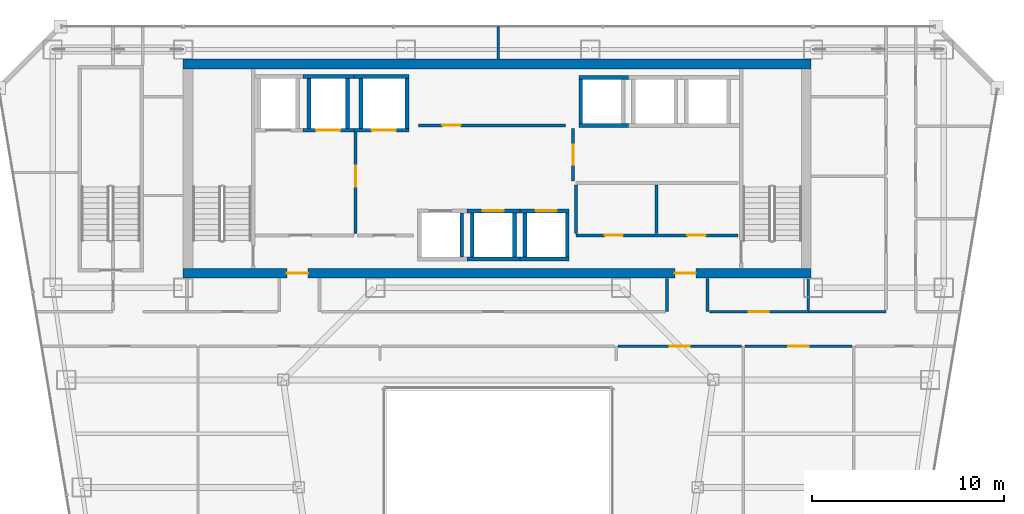
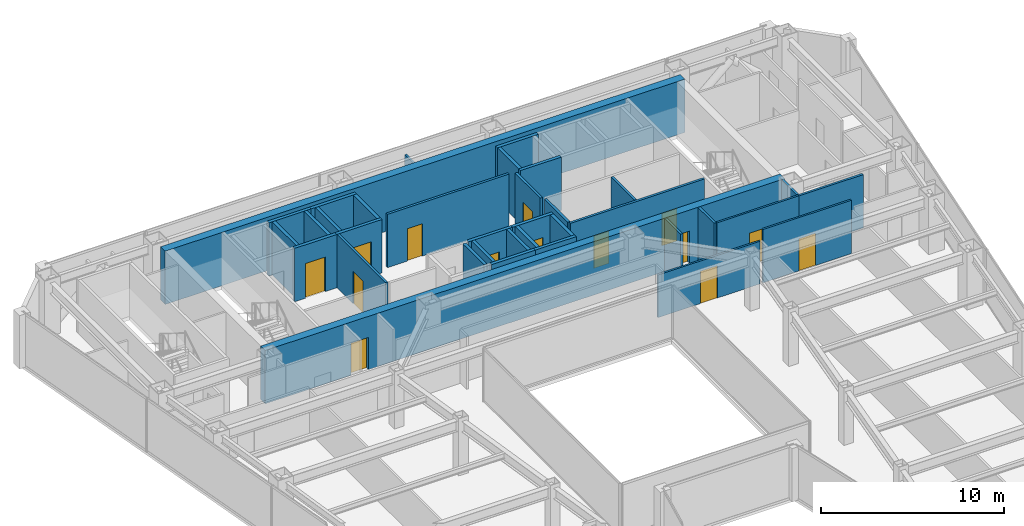
# One storey, part 32 of 36: 36 walls, 14 doors, 14 openings.
"""IFC4 building model written with IfcOpenShell, lengths in metres."""

from ifc_helpers import new_model, si_unit, direction, frame, frame_2d, origin, place, context, subcontext, project, spatial, rectangle, extrude, material, layer, layer_set, type_object, element, fill, save


model = new_model("IFC4")

# Units and contexts
model_context = context("Model", 3, precision=1e-05, world=origin(), true_north=direction((0.0, 1.0)))
body_context = subcontext(model_context, "Body", "Model", "MODEL_VIEW")
ifc_project = project(units=[si_unit("LENGTHUNIT", "METRE"), si_unit("AREAUNIT", "SQUARE_METRE"), si_unit("VOLUMEUNIT", "CUBIC_METRE"), si_unit("PLANEANGLEUNIT", "RADIAN"), si_unit("MASSUNIT", "GRAM", prefix="KILO")], contexts=[model_context])

# Site, building, storey
site_placement = place(None, origin())
site = spatial("IfcSite", under=ifc_project, at=site_placement, CompositionType="ELEMENT")
building_placement = place(site_placement, origin())
building = spatial("IfcBuilding", under=site, at=building_placement, Name="Saevonmaru Cultural Tower", CompositionType="ELEMENT")
storey_placement = place(building_placement, frame((0.0, 0.0, 156.199951171875)))
storey = spatial("IfcBuildingStorey", under=building, at=storey_placement, Name="L34", CompositionType="ELEMENT", Elevation=156.199951171875)

# Wall, openings, doors
ifc_material_1 = material(Name="Concrete C60/75", Category="concrete")
ifc_layer_1 = layer(ifc_material_1, 0.5, Name="Concrete C60/75")
ifc_layer_set_1 = layer_set([ifc_layer_1], Name="Concrete C60/75")
wall_type_1 = type_object("IfcWallType", Name="WL-CORE-500", PredefinedType="SHEAR", material=ifc_layer_set_1)
wall_1_placement = place(storey_placement, frame((13.60009765625, 43.14990234375, 0.0), z_axis=(0.0, 0.0, 1.0), x_axis=(1.0, 0.0, 0.0)))
wall_1 = element("IfcWall", 1, at=wall_1_placement, inside=storey, type_object=wall_type_1, Name="L34 Tower RC core shear wall S", PredefinedType="SHEAR", context=body_context, shape_type="SweptSolid", body=[
    extrude(rectangle(XDim=32.699951171875, YDim=0.5, at=frame_2d((16.35009765625, 0.0))), origin(), (0.0, 0.0, 1.0), 3.550048828125),
])
opening_1_placement = place(wall_1_placement, frame((5.39990234375, 0.0, 0.0)))
opening_1 = element("IfcOpeningElement", 2, at=opening_1_placement, cuts=wall_1, Name="Opening FD-2", PredefinedType="OPENING", context=body_context, shape_type="SweptSolid", body=[
    extrude(rectangle(XDim=1.10009765625, YDim=2.14990234375, at=frame_2d((0.550048828125, 1.074951171875))), frame((0.0, 0.260009765625, 0.0), z_axis=(0.0, -1.0, 0.0), x_axis=(1.0, 0.0, 0.0)), (0.0, 0.0, 1.0), 0.52001953125),
])
opening_2_placement = place(wall_1_placement, frame((25.60009765625, 0.0, 0.0)))
opening_2 = element("IfcOpeningElement", 3, at=opening_2_placement, cuts=wall_1, Name="Opening FD-2", PredefinedType="OPENING", context=body_context, shape_type="SweptSolid", body=[
    extrude(rectangle(XDim=1.10009765625, YDim=2.14990234375, at=frame_2d((0.550048828125, 1.074951171875))), frame((0.0, 0.260009765625, 0.0), z_axis=(0.0, -1.0, 0.0), x_axis=(1.0, 0.0, 0.0)), (0.0, 0.0, 1.0), 0.52001953125),
])
ifc_material_2 = material(Name="Satin Bronze Anodised Aluminium", Category="aluminium")
door_type_1 = type_object("IfcDoorType", Name="DR-FD60-1100", OperationType="SINGLE_SWING_LEFT", PredefinedType="DOOR", material=ifc_material_2)
door_1_placement = place(opening_1_placement, origin())
door_1 = element("IfcDoor", 4, at=door_1_placement, inside=storey, type_object=door_type_1, Name="L34 Core West Lobby Fire Door", OperationType="SINGLE_SWING_LEFT", OverallHeight=2.14990234375, OverallWidth=1.10009765625, PredefinedType="DOOR", context=body_context, shape_type="SweptSolid", body=[
    extrude(rectangle(XDim=1.10009765625, YDim=2.14990234375, at=frame_2d((0.550048828125, 1.074951171875))), frame((0.0, 0.02490234375, 0.0), z_axis=(0.0, -1.0, 0.0), x_axis=(1.0, 0.0, 0.0)), (0.0, 0.0, 1.0), 0.050048828125),
])
fill(opening_1, door_1)
door_2_placement = place(opening_2_placement, origin())
door_2 = element("IfcDoor", 5, at=door_2_placement, inside=storey, type_object=door_type_1, Name="L34 Core East Lobby Fire Door", OperationType="SINGLE_SWING_LEFT", OverallHeight=2.14990234375, OverallWidth=1.10009765625, PredefinedType="DOOR", context=body_context, shape_type="SweptSolid", body=[
    extrude(rectangle(XDim=1.10009765625, YDim=2.14990234375, at=frame_2d((0.550048828125, 1.074951171875))), frame((0.0, 0.02490234375, 0.0), z_axis=(0.0, -1.0, 0.0), x_axis=(1.0, 0.0, 0.0)), (0.0, 0.0, 1.0), 0.050048828125),
])
fill(opening_2, door_2)

# Wall
wall_2_placement = place(storey_placement, frame((13.60009765625, 54.050048828125, 0.0), z_axis=(0.0, 0.0, 1.0), x_axis=(1.0, 0.0, 0.0)))
element("IfcWall", 6, at=wall_2_placement, inside=storey, type_object=wall_type_1, Name="L34 Tower RC core shear wall N", PredefinedType="SHEAR", context=body_context, shape_type="SweptSolid", body=[
    extrude(rectangle(XDim=32.699951171875, YDim=0.5, at=frame_2d((16.35009765625, 0.0))), origin(), (0.0, 0.0, 1.0), 3.550048828125),
])

# Wall, opening, door
ifc_material_3 = material(Name="Gypsum Fireboard Partition", Category="gypsum")
ifc_layer_2 = layer(ifc_material_3, 0.14990234375, Name="Gypsum Fireboard Partition")
ifc_layer_set_2 = layer_set([ifc_layer_2], Name="Gypsum Fireboard Partition")
wall_type_2 = type_object("IfcWallType", Name="WL-CORE-PART-150", PredefinedType="PARTITIONING", material=ifc_layer_set_2)
wall_3_placement = place(storey_placement, frame((22.580078125, 50.550048828125, 0.0), z_axis=(0.0, 0.0, 1.0), x_axis=(0.0, -1.0, 0.0)))
wall_3 = element("IfcWall", 7, at=wall_3_placement, inside=storey, type_object=wall_type_2, Name="L34 Firefighting Lift Lobby East Wall", PredefinedType="PARTITIONING", context=body_context, shape_type="SweptSolid", body=[
    extrude(rectangle(XDim=5.330078125, YDim=0.14990234375, at=frame_2d((2.6650390625, 0.0))), origin(), (0.0, 0.0, 1.0), 3.550048828125),
])
opening_3_placement = place(wall_3_placement, frame((1.800048828125, 0.0, 0.0)))
opening_3 = element("IfcOpeningElement", 8, at=opening_3_placement, cuts=wall_3, Name="Opening FD-2", PredefinedType="OPENING", context=body_context, shape_type="SweptSolid", body=[
    extrude(rectangle(XDim=1.10009765625, YDim=2.14990234375, at=frame_2d((0.550048828125, 1.074951171875))), frame((0.0, 0.0849609375, 0.0), z_axis=(0.0, -1.0, 0.0), x_axis=(1.0, 0.0, 0.0)), (0.0, 0.0, 1.0), 0.169921875),
])
door_3_placement = place(opening_3_placement, origin())
door_3 = element("IfcDoor", 9, at=door_3_placement, inside=storey, type_object=door_type_1, Name="L34 Firefighting Lift Lobby East Door", OperationType="SINGLE_SWING_LEFT", OverallHeight=2.14990234375, OverallWidth=1.10009765625, PredefinedType="DOOR", context=body_context, shape_type="SweptSolid", body=[
    extrude(rectangle(XDim=1.10009765625, YDim=2.14990234375, at=frame_2d((0.550048828125, 1.074951171875))), frame((0.0, 0.02490234375, 0.0), z_axis=(0.0, -1.0, 0.0), x_axis=(1.0, 0.0, 0.0)), (0.0, 0.0, 1.0), 0.050048828125),
])
fill(opening_3, door_3)

wall_4_placement = place(storey_placement, frame((33.89990234375, 47.949951171875, 0.0), z_axis=(0.0, 0.0, 1.0), x_axis=(0.0, 1.0, 0.0)))
wall_4 = element("IfcWall", 10, at=wall_4_placement, inside=storey, type_object=wall_type_2, Name="L34 Zone Lobby Divider", PredefinedType="PARTITIONING", context=body_context, shape_type="SweptSolid", body=[
    extrude(rectangle(XDim=2.75, YDim=0.14990234375, at=frame_2d((1.375, 0.0))), origin(), (0.0, 0.0, 1.0), 3.550048828125),
])
opening_4_placement = place(wall_4_placement, frame((0.85009765625, 0.0, 0.0)))
opening_4 = element("IfcOpeningElement", 11, at=opening_4_placement, cuts=wall_4, Name="Opening ID-1", PredefinedType="OPENING", context=body_context, shape_type="SweptSolid", body=[
    extrude(rectangle(XDim=1.050048828125, YDim=2.14990234375, at=frame_2d((0.52490234375, 1.074951171875))), frame((0.0, 0.0849609375, 0.0), z_axis=(0.0, -1.0, 0.0), x_axis=(1.0, 0.0, 0.0)), (0.0, 0.0, 1.0), 0.169921875),
])
door_type_2 = type_object("IfcDoorType", Name="DR-INT-1050", OperationType="SINGLE_SWING_LEFT", PredefinedType="DOOR", material=ifc_material_2)
door_4_placement = place(opening_4_placement, origin())
door_4 = element("IfcDoor", 12, at=door_4_placement, inside=storey, type_object=door_type_2, Name="L34 Inter-Lobby Link Door", OperationType="SINGLE_SWING_LEFT", OverallHeight=2.14990234375, OverallWidth=1.050048828125, PredefinedType="DOOR", context=body_context, shape_type="SweptSolid", body=[
    extrude(rectangle(XDim=1.050048828125, YDim=2.14990234375, at=frame_2d((0.52490234375, 1.074951171875))), frame((0.0, 0.02490234375, 0.0), z_axis=(0.0, -1.0, 0.0), x_axis=(1.0, 0.0, 0.0)), (0.0, 0.0, 1.0), 0.050048828125),
])
fill(opening_4, door_4)

# Wall, openings, doors
wall_5_placement = place(storey_placement, frame((34.050048828125, 45.1201171875, 0.0), z_axis=(0.0, 0.0, 1.0), x_axis=(1.0, 0.0, 0.0)))
wall_5 = element("IfcWall", 13, at=wall_5_placement, inside=storey, type_object=wall_type_2, Name="L34 Core Plant South Wall", PredefinedType="PARTITIONING", context=body_context, shape_type="SweptSolid", body=[
    extrude(rectangle(XDim=8.449951171875, YDim=0.14990234375, at=frame_2d((4.22509765625, 0.0))), origin(), (0.0, 0.0, 1.0), 3.550048828125),
])
opening_5_placement = place(wall_5_placement, frame((1.5, 0.0, 0.0)))
opening_5 = element("IfcOpeningElement", 14, at=opening_5_placement, cuts=wall_5, Name="Opening FD-4", PredefinedType="OPENING", context=body_context, shape_type="SweptSolid", body=[
    extrude(rectangle(XDim=0.949951171875, YDim=2.14990234375, at=frame_2d((0.47509765625, 1.074951171875))), frame((0.0, 0.0849609375, 0.0), z_axis=(0.0, -1.0, 0.0), x_axis=(1.0, 0.0, 0.0)), (0.0, 0.0, 1.0), 0.169921875),
])
opening_6_placement = place(wall_5_placement, frame((5.800048828125, 0.0, 0.0)))
opening_6 = element("IfcOpeningElement", 15, at=opening_6_placement, cuts=wall_5, Name="Opening FD-4", PredefinedType="OPENING", context=body_context, shape_type="SweptSolid", body=[
    extrude(rectangle(XDim=0.949951171875, YDim=2.14990234375, at=frame_2d((0.47509765625, 1.074951171875))), frame((0.0, 0.0849609375, 0.0), z_axis=(0.0, -1.0, 0.0), x_axis=(1.0, 0.0, 0.0)), (0.0, 0.0, 1.0), 0.169921875),
])
door_type_3 = type_object("IfcDoorType", Name="DR-FD60-950", OperationType="SINGLE_SWING_LEFT", PredefinedType="DOOR", material=ifc_material_2)
door_5_placement = place(opening_5_placement, origin())
door_5 = element("IfcDoor", 16, at=door_5_placement, inside=storey, type_object=door_type_3, Name="L34 Floor AHU Plant Door", OperationType="SINGLE_SWING_LEFT", OverallHeight=2.14990234375, OverallWidth=0.949951171875, PredefinedType="DOOR", context=body_context, shape_type="SweptSolid", body=[
    extrude(rectangle(XDim=0.949951171875, YDim=2.14990234375, at=frame_2d((0.47509765625, 1.074951171875))), frame((0.0, 0.02490234375, 0.0), z_axis=(0.0, -1.0, 0.0), x_axis=(1.0, 0.0, 0.0)), (0.0, 0.0, 1.0), 0.050048828125),
])
fill(opening_5, door_5)
door_6_placement = place(opening_6_placement, origin())
door_6 = element("IfcDoor", 17, at=door_6_placement, inside=storey, type_object=door_type_3, Name="L34 Housekeeping Storage Door", OperationType="SINGLE_SWING_LEFT", OverallHeight=2.14990234375, OverallWidth=0.949951171875, PredefinedType="DOOR", context=body_context, shape_type="SweptSolid", body=[
    extrude(rectangle(XDim=0.949951171875, YDim=2.14990234375, at=frame_2d((0.47509765625, 1.074951171875))), frame((0.0, 0.02490234375, 0.0), z_axis=(0.0, -1.0, 0.0), x_axis=(1.0, 0.0, 0.0)), (0.0, 0.0, 1.0), 0.050048828125),
])
fill(opening_6, door_6)

# Walls
for number, where, z_axis, x_axis, name in (
    (18, (38.25, 45.219970703125, 0.0), (0.0, 0.0, 1.0), (0.0, 1.0, 0.0), "L34 Core Plant Split"),
    (19, (34.050048828125, 45.219970703125, 0.0), (0.0, 0.0, 1.0), (0.0, 1.0, 0.0), "L34 Core Plant West Wall"),
):
    element("IfcWall", number, at=place(storey_placement, frame(where, z_axis=z_axis, x_axis=x_axis)), inside=storey, type_object=wall_type_2, Name=name, PredefinedType="PARTITIONING", context=body_context, shape_type="SweptSolid", body=[
        extrude(rectangle(XDim=2.530029296875, YDim=0.14990234375, at=frame_2d((1.26513671875, 0.0))), origin(), (0.0, 0.0, 1.0), 3.550048828125),
    ])

# Wall, opening, door
wall_6_placement = place(storey_placement, frame((25.85009765625, 50.85009765625, 0.0), z_axis=(0.0, 0.0, 1.0), x_axis=(1.0, 0.0, 0.0)))
wall_6 = element("IfcWall", 20, at=wall_6_placement, inside=storey, type_object=wall_type_2, Name="L34 Reclaimed Core Room South Wall", PredefinedType="PARTITIONING", context=body_context, shape_type="SweptSolid", body=[
    extrude(rectangle(XDim=7.64990234375, YDim=0.14990234375, at=frame_2d((3.824951171875, 0.0))), origin(), (0.0, 0.0, 1.0), 3.550048828125),
])
opening_7_placement = place(wall_6_placement, frame((1.25, 0.0, 0.0)))
opening_7 = element("IfcOpeningElement", 21, at=opening_7_placement, cuts=wall_6, Name="Opening FD-4", PredefinedType="OPENING", context=body_context, shape_type="SweptSolid", body=[
    extrude(rectangle(XDim=0.949951171875, YDim=2.14990234375, at=frame_2d((0.47509765625, 1.074951171875))), frame((0.0, 0.0849609375, 0.0), z_axis=(0.0, -1.0, 0.0), x_axis=(1.0, 0.0, 0.0)), (0.0, 0.0, 1.0), 0.169921875),
])
door_7_placement = place(opening_7_placement, origin())
door_7 = element("IfcDoor", 22, at=door_7_placement, inside=storey, type_object=door_type_3, Name="L34 Reclaimed Archive Vault Door", OperationType="SINGLE_SWING_LEFT", OverallHeight=2.14990234375, OverallWidth=0.949951171875, PredefinedType="DOOR", context=body_context, shape_type="SweptSolid", body=[
    extrude(rectangle(XDim=0.949951171875, YDim=2.14990234375, at=frame_2d((0.47509765625, 1.074951171875))), frame((0.0, 0.02490234375, 0.0), z_axis=(0.0, -1.0, 0.0), x_axis=(1.0, 0.0, 0.0)), (0.0, 0.0, 1.0), 0.050048828125),
])
fill(opening_7, door_7)

# Walls
ifc_layer_3 = layer(ifc_material_3, 0.14990234375, Name="Gypsum Fireboard Partition")
ifc_layer_set_3 = layer_set([ifc_layer_3], Name="Gypsum Fireboard Partition")
wall_type_3 = type_object("IfcWallType", Name="WL-PART-FIRE-150", PredefinedType="PARTITIONING", material=ifc_layer_set_3)
for number, where, z_axis, x_axis, name in (
    (23, (38.800048828125, 41.14990234375, 0.0), (0.0, 0.0, 1.0), (0.0, 1.0, 0.0), "L34 Core Portal Side Wall E1"),
    (24, (40.89990234375, 41.14990234375, 0.0), (0.0, 0.0, 1.0), (0.0, 1.0, 0.0), "L34 Core Portal Side Wall E2"),
):
    element("IfcWall", number, at=place(storey_placement, frame(where, z_axis=z_axis, x_axis=x_axis)), inside=storey, type_object=wall_type_3, Name=name, PredefinedType="PARTITIONING", context=body_context, shape_type="SweptSolid", body=[
        extrude(rectangle(XDim=1.72998046875, YDim=0.14990234375, at=frame_2d((0.864990234375, 0.0))), origin(), (0.0, 0.0, 1.0), 3.550048828125),
    ])
ifc_layer_4 = layer(ifc_material_3, 0.1201171875, Name="Gypsum Fireboard Partition")
ifc_layer_set_4 = layer_set([ifc_layer_4], Name="Gypsum Fireboard Partition")
wall_type_4 = type_object("IfcWallType", Name="WL-PART-GYP-120", PredefinedType="PARTITIONING", material=ifc_layer_set_4)
wall_7_placement = place(storey_placement, frame((30.0, 54.320068359375, 0.0), z_axis=(0.0, 0.0, 1.0), x_axis=(0.0, 1.0, 0.0)))
element("IfcWall", 25, at=wall_7_placement, inside=storey, type_object=wall_type_4, Name="L34 North Panorama Center Split", PredefinedType="PARTITIONING", context=body_context, shape_type="SweptSolid", body=[
    extrude(rectangle(XDim=1.675048828125, YDim=0.1201171875, at=frame_2d((0.83740234375, 0.0))), origin(), (0.0, 0.0, 1.0), 2.93505859375),
])

# Wall, opening, door
wall_8_placement = place(storey_placement, frame((40.9951171875, 41.14990234375, 0.0), z_axis=(0.0, 0.0, 1.0), x_axis=(1.0, 0.0, 0.0)))
wall_8 = element("IfcWall", 26, at=wall_8_placement, inside=storey, type_object=wall_type_4, Name="L34 Rare Manuscript Reading Room Corridor Wall", PredefinedType="PARTITIONING", context=body_context, shape_type="SweptSolid", body=[
    extrude(rectangle(XDim=5.15478515625, YDim=0.1201171875, at=frame_2d((2.577392578125, 0.0))), origin(), (0.0, 0.0, 1.0), 3.550048828125),
])
opening_8_placement = place(wall_8_placement, frame((2.052978515625, 0.0, 0.0)))
opening_8 = element("IfcOpeningElement", 27, at=opening_8_placement, cuts=wall_8, Name="Opening ID-1", PredefinedType="OPENING", context=body_context, shape_type="SweptSolid", body=[
    extrude(rectangle(XDim=1.050048828125, YDim=2.14990234375, at=frame_2d((0.52490234375, 1.074951171875))), frame((0.0, 0.070068359375, 0.0), z_axis=(0.0, -1.0, 0.0), x_axis=(1.0, 0.0, 0.0)), (0.0, 0.0, 1.0), 0.14013671875),
])
door_8_placement = place(opening_8_placement, origin())
door_8 = element("IfcDoor", 28, at=door_8_placement, inside=storey, type_object=door_type_2, Name="L34 Rare Manuscript Reading Room Door", OperationType="SINGLE_SWING_LEFT", OverallHeight=2.14990234375, OverallWidth=1.050048828125, PredefinedType="DOOR", context=body_context, shape_type="SweptSolid", body=[
    extrude(rectangle(XDim=1.050048828125, YDim=2.14990234375, at=frame_2d((0.52490234375, 1.074951171875))), frame((0.0, 0.02490234375, 0.0), z_axis=(0.0, -1.0, 0.0), x_axis=(1.0, 0.0, 0.0)), (0.0, 0.0, 1.0), 0.050048828125),
])
fill(opening_8, door_8)

wall_9_placement = place(storey_placement, frame((36.22998046875, 39.35009765625, 0.0), z_axis=(0.0, 0.0, 1.0), x_axis=(1.0, 0.0, 0.0)))
wall_9 = element("IfcWall", 29, at=wall_9_placement, inside=storey, type_object=wall_type_4, Name="L34 Rare Manuscript Reading Room Corridor Wall", PredefinedType="PARTITIONING", context=body_context, shape_type="SweptSolid", body=[
    extrude(rectangle(XDim=6.442626953125, YDim=0.1201171875, at=frame_2d((3.22119140625, 0.0))), origin(), (0.0, 0.0, 1.0), 2.8349609375),
])
opening_9_placement = place(wall_9_placement, frame((2.696044921875, 0.0, 0.0)))
opening_9 = element("IfcOpeningElement", 30, at=opening_9_placement, cuts=wall_9, Name="Opening ID-1", PredefinedType="OPENING", context=body_context, shape_type="SweptSolid", body=[
    extrude(rectangle(XDim=1.050048828125, YDim=2.14990234375, at=frame_2d((0.52490234375, 1.074951171875))), frame((0.0, 0.070068359375, 0.0), z_axis=(0.0, -1.0, 0.0), x_axis=(1.0, 0.0, 0.0)), (0.0, 0.0, 1.0), 0.14013671875),
])
door_9_placement = place(opening_9_placement, origin())
door_9 = element("IfcDoor", 31, at=door_9_placement, inside=storey, type_object=door_type_2, Name="L34 Rare Manuscript Reading Room Door", OperationType="SINGLE_SWING_RIGHT", OverallHeight=2.14990234375, OverallWidth=1.050048828125, PredefinedType="DOOR", context=body_context, shape_type="SweptSolid", body=[
    extrude(rectangle(XDim=1.050048828125, YDim=2.14990234375, at=frame_2d((0.52490234375, 1.074951171875))), frame((0.0, 0.02490234375, 0.0), z_axis=(0.0, -1.0, 0.0), x_axis=(1.0, 0.0, 0.0)), (0.0, 0.0, 1.0), 0.050048828125),
])
fill(opening_9, door_9)

wall_10_placement = place(storey_placement, frame((42.847412109375, 39.35009765625, 0.0), z_axis=(0.0, 0.0, 1.0), x_axis=(1.0, 0.0, 0.0)))
wall_10 = element("IfcWall", 32, at=wall_10_placement, inside=storey, type_object=wall_type_4, Name="L34 Periodical Reading Room Corridor Wall", PredefinedType="PARTITIONING", context=body_context, shape_type="SweptSolid", body=[
    extrude(rectangle(XDim=5.5751953125, YDim=0.1201171875, at=frame_2d((2.78759765625, 0.0))), origin(), (0.0, 0.0, 1.0), 3.550048828125),
])
opening_10_placement = place(wall_10_placement, frame((2.262939453125, 0.0, 0.0)))
opening_10 = element("IfcOpeningElement", 33, at=opening_10_placement, cuts=wall_10, Name="Opening ID-1", PredefinedType="OPENING", context=body_context, shape_type="SweptSolid", body=[
    extrude(rectangle(XDim=1.050048828125, YDim=2.14990234375, at=frame_2d((0.52490234375, 1.074951171875))), frame((0.0, 0.070068359375, 0.0), z_axis=(0.0, -1.0, 0.0), x_axis=(1.0, 0.0, 0.0)), (0.0, 0.0, 1.0), 0.14013671875),
])
door_10_placement = place(opening_10_placement, origin())
door_10 = element("IfcDoor", 34, at=door_10_placement, inside=storey, type_object=door_type_2, Name="L34 Periodical Reading Room Door", OperationType="SINGLE_SWING_LEFT", OverallHeight=2.14990234375, OverallWidth=1.050048828125, PredefinedType="DOOR", context=body_context, shape_type="SweptSolid", body=[
    extrude(rectangle(XDim=1.050048828125, YDim=2.14990234375, at=frame_2d((0.52490234375, 1.074951171875))), frame((0.0, 0.02490234375, 0.0), z_axis=(0.0, -1.0, 0.0), x_axis=(1.0, 0.0, 0.0)), (0.0, 0.0, 1.0), 0.050048828125),
])
fill(opening_10, door_10)

# Walls
ifc_layer_5 = layer(ifc_material_3, 0.139892578125, Name="Gypsum Fireboard Partition")
ifc_layer_set_5 = layer_set([ifc_layer_5], Name="Gypsum Fireboard Partition")
wall_type_5 = type_object("IfcWallType", Name="WL-PART-WET-140", PredefinedType="PARTITIONING", material=ifc_layer_set_5)
wall_11_placement = place(storey_placement, frame((46.14990234375, 41.14990234375, 0.0), z_axis=(0.0, 0.0, 1.0), x_axis=(1.0, 0.0, 0.0)))
element("IfcWall", 35, at=wall_11_placement, inside=storey, type_object=wall_type_5, Name="L34 Washroom South Wall", PredefinedType="PARTITIONING", context=body_context, shape_type="SweptSolid", body=[
    extrude(rectangle(XDim=4.050048828125, YDim=0.139892578125, at=frame_2d((2.02490234375, 0.0))), origin(), (0.0, 0.0, 1.0), 3.550048828125),
])
wall_12_placement = place(storey_placement, frame((46.14990234375, 41.239990234375, 0.0), z_axis=(0.0, 0.0, 1.0), x_axis=(0.0, 1.0, 0.0)))
element("IfcWall", 36, at=wall_12_placement, inside=storey, type_object=wall_type_5, Name="L34 Washroom South-West Return", PredefinedType="PARTITIONING", context=body_context, shape_type="SweptSolid", body=[
    extrude(rectangle(XDim=1.639892578125, YDim=0.139892578125, at=frame_2d((0.81982421875, 0.0))), origin(), (0.0, 0.0, 1.0), 3.550048828125),
])

# Wall, opening, door
ifc_material_4 = material(Name="Concrete C40/50", Category="concrete")
ifc_layer_6 = layer(ifc_material_4, 0.199951171875, Name="Concrete C40/50")
ifc_layer_set_6 = layer_set([ifc_layer_6], Name="Concrete C40/50")
wall_type_6 = type_object("IfcWallType", Name="WL-SHAFT-200", PredefinedType="SHEAR", material=ifc_layer_set_6)
wall_13_placement = place(storey_placement, frame((19.85009765625, 50.60009765625, 0.0), z_axis=(0.0, 0.0, 1.0), x_axis=(1.0, 0.0, 0.0)))
wall_13 = element("IfcWall", 37, at=wall_13_placement, inside=storey, type_object=wall_type_6, Name="L34 Lift FFL-2 Hoistway Wall S", PredefinedType="SHEAR", context=body_context, shape_type="SweptSolid", body=[
    extrude(rectangle(XDim=2.64990234375, YDim=0.199951171875, at=frame_2d((1.324951171875, 0.0))), origin(), (0.0, 0.0, 1.0), 3.550048828125),
])
opening_11_placement = place(wall_13_placement, frame((0.675048828125, 0.0, 0.0)))
opening_11 = element("IfcOpeningElement", 38, at=opening_11_placement, cuts=wall_13, Name="Opening LD-2", PredefinedType="OPENING", context=body_context, shape_type="SweptSolid", body=[
    extrude(rectangle(XDim=1.25, YDim=2.300048828125, at=frame_2d((0.625, 1.14990234375))), frame((0.0, 0.10986328125, 0.0), z_axis=(0.0, -1.0, 0.0), x_axis=(1.0, 0.0, 0.0)), (0.0, 0.0, 1.0), 0.219970703125),
])
ifc_material_5 = material(Name="Stainless Steel 316", Category="steel")
door_type_4 = type_object("IfcDoorType", Name="DR-LIFT-1250", OperationType="SLIDING_TO_LEFT", PredefinedType="DOOR", material=ifc_material_5)
door_11_placement = place(opening_11_placement, origin())
door_11 = element("IfcDoor", 39, at=door_11_placement, inside=storey, type_object=door_type_4, Name="L34 Lift FFL-2 Sliding Landing Door", OperationType="SLIDING_TO_LEFT", OverallHeight=2.300048828125, OverallWidth=1.25, PredefinedType="DOOR", context=body_context, shape_type="SweptSolid", body=[
    extrude(rectangle(XDim=1.25, YDim=2.300048828125, at=frame_2d((0.625, 1.14990234375))), frame((0.0, 0.02490234375, 0.0), z_axis=(0.0, -1.0, 0.0), x_axis=(1.0, 0.0, 0.0)), (0.0, 0.0, 1.0), 0.050048828125),
])
fill(opening_11, door_11)

# Walls
wall_14_placement = place(storey_placement, frame((19.85009765625, 53.39990234375, 0.0), z_axis=(0.0, 0.0, 1.0), x_axis=(1.0, 0.0, 0.0)))
element("IfcWall", 40, at=wall_14_placement, inside=storey, type_object=wall_type_6, Name="L34 Lift FFL-2 Hoistway Wall N", PredefinedType="SHEAR", context=body_context, shape_type="SweptSolid", body=[
    extrude(rectangle(XDim=2.64990234375, YDim=0.199951171875, at=frame_2d((1.324951171875, 0.0))), origin(), (0.0, 0.0, 1.0), 3.550048828125),
])
for number, where, z_axis, x_axis, name in (
    (41, (20.14990234375, 50.699951171875, 0.0), (0.0, 0.0, 1.0), (0.0, 1.0, 0.0), "L34 Lift FFL-2 Hoistway Wall W"),
    (42, (22.14990234375, 50.699951171875, 0.0), (0.0, 0.0, 1.0), (0.0, 1.0, 0.0), "L34 Lift FFL-2 Hoistway Wall E"),
):
    element("IfcWall", number, at=place(storey_placement, frame(where, z_axis=z_axis, x_axis=x_axis)), inside=storey, type_object=wall_type_6, Name=name, PredefinedType="SHEAR", context=body_context, shape_type="SweptSolid", body=[
        extrude(rectangle(XDim=2.60009765625, YDim=0.199951171875, at=frame_2d((1.300048828125, 0.0))), origin(), (0.0, 0.0, 1.0), 3.550048828125),
    ])

# Wall, opening, door
wall_15_placement = place(storey_placement, frame((22.5, 50.60009765625, 0.0), z_axis=(0.0, 0.0, 1.0), x_axis=(1.0, 0.0, 0.0)))
wall_15 = element("IfcWall", 43, at=wall_15_placement, inside=storey, type_object=wall_type_6, Name="L34 Lift GL-1 Hoistway Wall S", PredefinedType="SHEAR", context=body_context, shape_type="SweptSolid", body=[
    extrude(rectangle(XDim=2.85009765625, YDim=0.199951171875, at=frame_2d((1.425048828125, 0.0))), origin(), (0.0, 0.0, 1.0), 3.550048828125),
])
opening_12_placement = place(wall_15_placement, frame((0.925048828125, 0.0, 0.0)))
opening_12 = element("IfcOpeningElement", 44, at=opening_12_placement, cuts=wall_15, Name="Opening LD-2", PredefinedType="OPENING", context=body_context, shape_type="SweptSolid", body=[
    extrude(rectangle(XDim=1.25, YDim=2.300048828125, at=frame_2d((0.625, 1.14990234375))), frame((0.0, 0.10986328125, 0.0), z_axis=(0.0, -1.0, 0.0), x_axis=(1.0, 0.0, 0.0)), (0.0, 0.0, 1.0), 0.219970703125),
])
door_12_placement = place(opening_12_placement, origin())
door_12 = element("IfcDoor", 45, at=door_12_placement, inside=storey, type_object=door_type_4, Name="L34 Lift GL-1 Sliding Landing Door", OperationType="SLIDING_TO_LEFT", OverallHeight=2.300048828125, OverallWidth=1.25, PredefinedType="DOOR", context=body_context, shape_type="SweptSolid", body=[
    extrude(rectangle(XDim=1.25, YDim=2.300048828125, at=frame_2d((0.625, 1.14990234375))), frame((0.0, 0.02490234375, 0.0), z_axis=(0.0, -1.0, 0.0), x_axis=(1.0, 0.0, 0.0)), (0.0, 0.0, 1.0), 0.050048828125),
])
fill(opening_12, door_12)

# Walls
wall_16_placement = place(storey_placement, frame((22.5, 53.39990234375, 0.0), z_axis=(0.0, 0.0, 1.0), x_axis=(1.0, 0.0, 0.0)))
element("IfcWall", 46, at=wall_16_placement, inside=storey, type_object=wall_type_6, Name="L34 Lift GL-1 Hoistway Wall N", PredefinedType="SHEAR", context=body_context, shape_type="SweptSolid", body=[
    extrude(rectangle(XDim=2.85009765625, YDim=0.199951171875, at=frame_2d((1.425048828125, 0.0))), origin(), (0.0, 0.0, 1.0), 3.550048828125),
])
for number, where, z_axis, x_axis, name in (
    (47, (22.85009765625, 50.699951171875, 0.0), (0.0, 0.0, 1.0), (0.0, 1.0, 0.0), "L34 Lift GL-1 Hoistway Wall W"),
    (48, (25.25, 50.699951171875, 0.0), (0.0, 0.0, 1.0), (0.0, 1.0, 0.0), "L34 Lift GL-1 Hoistway Wall E"),
):
    element("IfcWall", number, at=place(storey_placement, frame(where, z_axis=z_axis, x_axis=x_axis)), inside=storey, type_object=wall_type_6, Name=name, PredefinedType="SHEAR", context=body_context, shape_type="SweptSolid", body=[
        extrude(rectangle(XDim=2.60009765625, YDim=0.199951171875, at=frame_2d((1.300048828125, 0.0))), origin(), (0.0, 0.0, 1.0), 3.550048828125),
    ])
wall_17_placement = place(storey_placement, frame((28.10009765625, 44.0, 0.0), z_axis=(0.0, 0.0, 1.0), x_axis=(0.0, 1.0, 0.0)))
element("IfcWall", 49, at=wall_17_placement, inside=storey, type_object=wall_type_6, Name="L34 Lift PL-M1 Hoistway Wall E", PredefinedType="SHEAR", context=body_context, shape_type="SweptSolid", body=[
    extrude(rectangle(XDim=2.300048828125, YDim=0.199951171875, at=frame_2d((1.14990234375, 0.0))), origin(), (0.0, 0.0, 1.0), 3.550048828125),
])
wall_18_placement = place(storey_placement, frame((28.375, 43.89990234375, 0.0), z_axis=(0.0, 0.0, 1.0), x_axis=(1.0, 0.0, 0.0)))
element("IfcWall", 50, at=wall_18_placement, inside=storey, type_object=wall_type_6, Name="L34 Lift PL-M2 Hoistway Wall S", PredefinedType="SHEAR", context=body_context, shape_type="SweptSolid", body=[
    extrude(rectangle(XDim=2.75, YDim=0.199951171875, at=frame_2d((1.375, 0.0))), origin(), (0.0, 0.0, 1.0), 3.550048828125),
])

# Wall, opening, door
wall_19_placement = place(storey_placement, frame((28.375, 46.39990234375, 0.0), z_axis=(0.0, 0.0, 1.0), x_axis=(1.0, 0.0, 0.0)))
wall_19 = element("IfcWall", 51, at=wall_19_placement, inside=storey, type_object=wall_type_6, Name="L34 Lift PL-M2 Hoistway Wall N", PredefinedType="SHEAR", context=body_context, shape_type="SweptSolid", body=[
    extrude(rectangle(XDim=2.75, YDim=0.199951171875, at=frame_2d((1.375, 0.0))), origin(), (0.0, 0.0, 1.0), 3.550048828125),
])
opening_13_placement = place(wall_19_placement, frame((0.824951171875, 0.0, 0.0)))
opening_13 = element("IfcOpeningElement", 52, at=opening_13_placement, cuts=wall_19, Name="Opening LD-1", PredefinedType="OPENING", context=body_context, shape_type="SweptSolid", body=[
    extrude(rectangle(XDim=1.10009765625, YDim=2.199951171875, at=frame_2d((0.550048828125, 1.10009765625))), frame((0.0, 0.10986328125, 0.0), z_axis=(0.0, -1.0, 0.0), x_axis=(1.0, 0.0, 0.0)), (0.0, 0.0, 1.0), 0.219970703125),
])
ifc_material_6 = material(Name="Satin Bronze Stainless Steel", Category="steel")
door_type_5 = type_object("IfcDoorType", Name="DR-LIFT-1100", OperationType="SLIDING_TO_LEFT", PredefinedType="DOOR", material=ifc_material_6)
door_13_placement = place(opening_13_placement, origin())
door_13 = element("IfcDoor", 53, at=door_13_placement, inside=storey, type_object=door_type_5, Name="L34 Lift PL-M2 Sliding Landing Door", OperationType="SLIDING_TO_LEFT", OverallHeight=2.199951171875, OverallWidth=1.10009765625, PredefinedType="DOOR", context=body_context, shape_type="SweptSolid", body=[
    extrude(rectangle(XDim=1.10009765625, YDim=2.199951171875, at=frame_2d((0.550048828125, 1.10009765625))), frame((0.0, 0.02490234375, 0.0), z_axis=(0.0, -1.0, 0.0), x_axis=(1.0, 0.0, 0.0)), (0.0, 0.0, 1.0), 0.050048828125),
])
fill(opening_13, door_13)

# Walls
for number, where, z_axis, x_axis, name in (
    (54, (28.64990234375, 44.0, 0.0), (0.0, 0.0, 1.0), (0.0, 1.0, 0.0), "L34 Lift PL-M2 Hoistway Wall W"),
    (55, (30.85009765625, 44.0, 0.0), (0.0, 0.0, 1.0), (0.0, 1.0, 0.0), "L34 Lift PL-M2 Hoistway Wall E"),
):
    element("IfcWall", number, at=place(storey_placement, frame(where, z_axis=z_axis, x_axis=x_axis)), inside=storey, type_object=wall_type_6, Name=name, PredefinedType="SHEAR", context=body_context, shape_type="SweptSolid", body=[
        extrude(rectangle(XDim=2.300048828125, YDim=0.199951171875, at=frame_2d((1.14990234375, 0.0))), origin(), (0.0, 0.0, 1.0), 3.550048828125),
    ])
wall_20_placement = place(storey_placement, frame((31.125, 43.89990234375, 0.0), z_axis=(0.0, 0.0, 1.0), x_axis=(1.0, 0.0, 0.0)))
element("IfcWall", 56, at=wall_20_placement, inside=storey, type_object=wall_type_6, Name="L34 Lift PL-M3 Hoistway Wall S", PredefinedType="SHEAR", context=body_context, shape_type="SweptSolid", body=[
    extrude(rectangle(XDim=2.574951171875, YDim=0.199951171875, at=frame_2d((1.28759765625, 0.0))), origin(), (0.0, 0.0, 1.0), 3.550048828125),
])

# Wall, opening, door
wall_21_placement = place(storey_placement, frame((31.125, 46.39990234375, 0.0), z_axis=(0.0, 0.0, 1.0), x_axis=(1.0, 0.0, 0.0)))
wall_21 = element("IfcWall", 57, at=wall_21_placement, inside=storey, type_object=wall_type_6, Name="L34 Lift PL-M3 Hoistway Wall N", PredefinedType="SHEAR", context=body_context, shape_type="SweptSolid", body=[
    extrude(rectangle(XDim=2.574951171875, YDim=0.199951171875, at=frame_2d((1.28759765625, 0.0))), origin(), (0.0, 0.0, 1.0), 3.550048828125),
])
opening_14_placement = place(wall_21_placement, frame((0.824951171875, 0.0, 0.0)))
opening_14 = element("IfcOpeningElement", 58, at=opening_14_placement, cuts=wall_21, Name="Opening LD-1", PredefinedType="OPENING", context=body_context, shape_type="SweptSolid", body=[
    extrude(rectangle(XDim=1.10009765625, YDim=2.199951171875, at=frame_2d((0.550048828125, 1.10009765625))), frame((0.0, 0.10986328125, 0.0), z_axis=(0.0, -1.0, 0.0), x_axis=(1.0, 0.0, 0.0)), (0.0, 0.0, 1.0), 0.219970703125),
])
door_14_placement = place(opening_14_placement, origin())
door_14 = element("IfcDoor", 59, at=door_14_placement, inside=storey, type_object=door_type_5, Name="L34 Lift PL-M3 Sliding Landing Door", OperationType="SLIDING_TO_LEFT", OverallHeight=2.199951171875, OverallWidth=1.10009765625, PredefinedType="DOOR", context=body_context, shape_type="SweptSolid", body=[
    extrude(rectangle(XDim=1.10009765625, YDim=2.199951171875, at=frame_2d((0.550048828125, 1.10009765625))), frame((0.0, 0.02490234375, 0.0), z_axis=(0.0, -1.0, 0.0), x_axis=(1.0, 0.0, 0.0)), (0.0, 0.0, 1.0), 0.050048828125),
])
fill(opening_14, door_14)

# Walls
for number, where, z_axis, x_axis, name in (
    (60, (31.39990234375, 44.0, 0.0), (0.0, 0.0, 1.0), (0.0, 1.0, 0.0), "L34 Lift PL-M3 Hoistway Wall W"),
    (61, (33.60009765625, 44.0, 0.0), (0.0, 0.0, 1.0), (0.0, 1.0, 0.0), "L34 Lift PL-M3 Hoistway Wall E"),
):
    element("IfcWall", number, at=place(storey_placement, frame(where, z_axis=z_axis, x_axis=x_axis)), inside=storey, type_object=wall_type_6, Name=name, PredefinedType="SHEAR", context=body_context, shape_type="SweptSolid", body=[
        extrude(rectangle(XDim=2.300048828125, YDim=0.199951171875, at=frame_2d((1.14990234375, 0.0))), origin(), (0.0, 0.0, 1.0), 3.550048828125),
    ])
for number, where, z_axis, x_axis, name in (
    (62, (34.199951171875, 50.85009765625, 0.0), (0.0, 0.0, 1.0), (1.0, 0.0, 0.0), "L34 Lift PL-H1 Hoistway Wall S"),
    (63, (34.199951171875, 53.35009765625, 0.0), (0.0, 0.0, 1.0), (1.0, 0.0, 0.0), "L34 Lift PL-H1 Hoistway Wall N"),
):
    element("IfcWall", number, at=place(storey_placement, frame(where, z_axis=z_axis, x_axis=x_axis)), inside=storey, type_object=wall_type_6, Name=name, PredefinedType="SHEAR", context=body_context, shape_type="SweptSolid", body=[
        extrude(rectangle(XDim=2.574951171875, YDim=0.199951171875, at=frame_2d((1.28759765625, 0.0))), origin(), (0.0, 0.0, 1.0), 3.550048828125),
    ])
wall_22_placement = place(storey_placement, frame((34.300048828125, 50.949951171875, 0.0), z_axis=(0.0, 0.0, 1.0), x_axis=(0.0, 1.0, 0.0)))
element("IfcWall", 64, at=wall_22_placement, inside=storey, type_object=wall_type_6, Name="L34 Lift PL-H1 Hoistway Wall W", PredefinedType="SHEAR", context=body_context, shape_type="SweptSolid", body=[
    extrude(rectangle(XDim=2.300048828125, YDim=0.199951171875, at=frame_2d((1.14990234375, 0.0))), origin(), (0.0, 0.0, 1.0), 3.550048828125),
])

save(model, "model.ifc")
